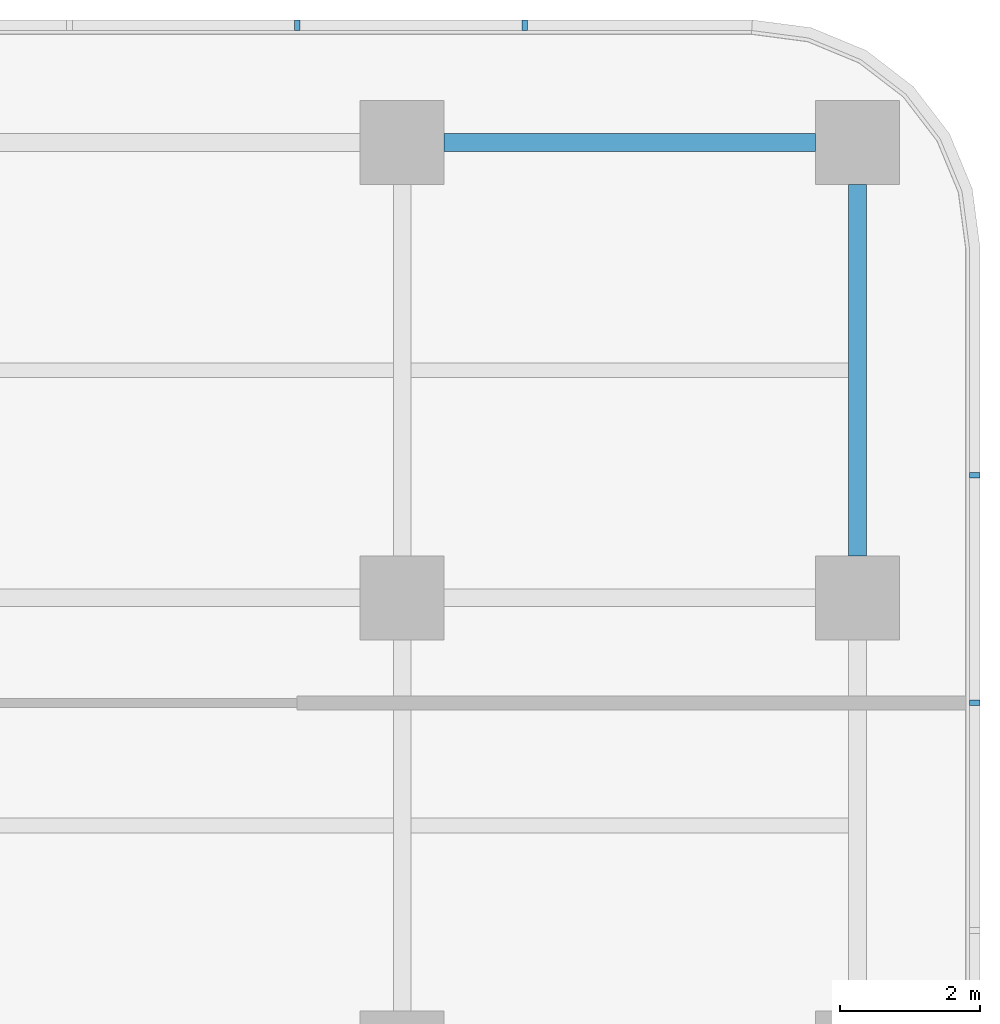
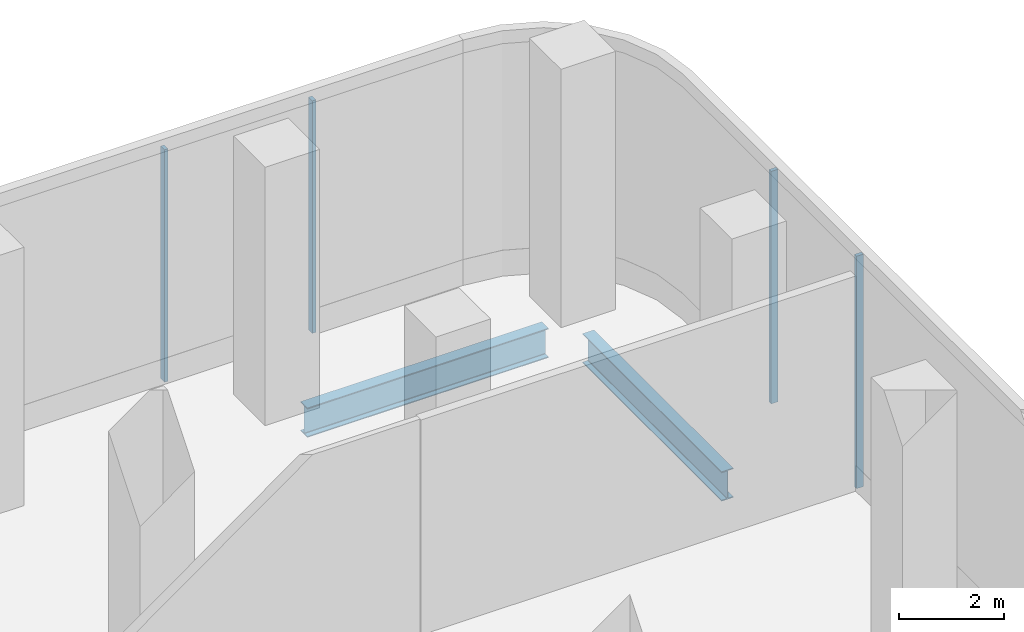
# One storey, part 30 of 41: 4 members, 2 beams, 2 elements without a shape of their own.
"""IFC4 building model written with IfcOpenShell, lengths in metres."""

from ifc_helpers import new_model, si_unit, direction, frame, origin, origin_2d, place, context, subcontext, project, spatial, rectangle, i_section, extrude, source, transform, mapped, material, layer, layer_set, material_profile, profile_set, type_object, element, aggregate, save


model = new_model("IFC4")

# Units and contexts
model_context = context("Model", 3, precision=1e-05, world=origin(), true_north=direction((0.0, 1.0)))
body_context = subcontext(model_context, "Body", "Model", "MODEL_VIEW")
ifc_project = project(units=[si_unit("LENGTHUNIT", "METRE"), si_unit("AREAUNIT", "SQUARE_METRE"), si_unit("VOLUMEUNIT", "CUBIC_METRE"), si_unit("PLANEANGLEUNIT", "RADIAN"), si_unit("MASSUNIT", "GRAM", prefix="KILO")], contexts=[model_context])

# Site, building, storey
site_placement = place(None, origin())
site = spatial("IfcSite", under=ifc_project, at=site_placement, CompositionType="ELEMENT")
building_placement = place(site_placement, origin())
building = spatial("IfcBuilding", under=site, at=building_placement, Name="Trellis Farm Tower", CompositionType="ELEMENT")
storey_placement = place(building_placement, frame((0.0, 0.0, 8.0)))
storey = spatial("IfcBuildingStorey", under=building, at=storey_placement, Name="L01", CompositionType="ELEMENT", Elevation=8.0)

# Beams
ifc_material_1 = material(Name="Steel S355", Category="steel")
ifc_material_profile_1 = material_profile(ifc_material_1, i_section(OverallWidth=0.253662109375, OverallDepth=0.68359375, WebThickness=0.012451171875, FlangeThickness=0.021728515625, FilletRadius=0.01513671875, at=origin_2d()), Name="UB 686x254x140")
ifc_profile_set_1 = profile_set([ifc_material_profile_1], Name="Steel S355")
beam_type = type_object("IfcBeamType", Name="UB 686x254x140", PredefinedType="BEAM", material=ifc_profile_set_1)
shared_shape_1 = source(origin(), body_context, "Body", "SweptSolid", [
    extrude(i_section(OverallWidth=0.253662109375, OverallDepth=0.68359375, WebThickness=0.012451171875, FlangeThickness=0.021728515625, FilletRadius=0.01513671875, at=origin_2d()), origin(), (0.0, 0.0, 1.0), 5.2998046875),
])
for number, where, z_axis, x_axis, name in (
    (1, (37.85009765625, 43.75, -0.641845703125), (1.0, 0.0, 0.0), (0.0, 1.0, 0.0), "Girder"),
    (2, (43.75, 37.85009765625, -0.641845703125), (0.0, 1.0, 0.0), (-1.0, 0.0, 0.0), "Girder"),
):
    element("IfcBeam", number, at=place(storey_placement, frame(where, z_axis=z_axis, x_axis=x_axis)), inside=storey, type_object=beam_type, Name=name, PredefinedType="BEAM", context=body_context, shape_type="MappedRepresentation", body=[
        mapped(shared_shape_1, transform((0.0, 0.0, 0.0))),
    ])

# Curtain wall, members
ifc_material_2 = material(Name="Aluminium and glass curtain wall", Category="aluminium")
ifc_layer = layer(ifc_material_2, 0.201904296875)
ifc_layer_set = layer_set([ifc_layer], Name="SHOPFRONT CURTAIN WALL CW2")
curtain_wall_type = type_object("IfcCurtainWallType", Name="SHOPFRONT CURTAIN WALL CW2", PredefinedType="NOTDEFINED", material=ifc_layer_set)
placement = place(storey_placement, origin())
curtain_wall_1 = element("IfcCurtainWall", 3, at=placement, inside=storey, type_object=curtain_wall_type, Name="CW2 002", PredefinedType="NOTDEFINED")
ifc_material_3 = material(Name="Aluminium extrusion 6063-T6", Category="aluminium")
ifc_material_profile_2 = material_profile(ifc_material_3, rectangle(XDim=0.080078125, YDim=0.14990234375, at=origin_2d()), Name="MULLION 80x150")
ifc_profile_set_2 = profile_set([ifc_material_profile_2], Name="Aluminium extrusion 6063-T6")
member_type = type_object("IfcMemberType", Name="CW2 MULLION 80x150", PredefinedType="MULLION", material=ifc_profile_set_2)
shared_shape_2 = source(origin(), body_context, "Body", "SweptSolid", [
    extrude(rectangle(XDim=0.080078125, YDim=0.14990234375, at=origin_2d()), origin(), (0.0, 0.0, 1.0), 5.39990234375),
])
member_1_placement = place(storey_placement, frame((45.425048828125, 35.75, 0.0), z_axis=(0.0, 0.0, 1.0), x_axis=(0.0, 1.0, 0.0)))
member_1 = element("IfcMember", 4, at=member_1_placement, type_object=member_type, Name="MU2 002-09", PredefinedType="MULLION", context=body_context, shape_type="MappedRepresentation", body=[
    mapped(shared_shape_2, transform((0.0, 0.0, 0.0))),
])
member_2_placement = place(storey_placement, frame((45.425048828125, 39.0, 0.0), z_axis=(0.0, 0.0, 1.0), x_axis=(0.0, 1.0, 0.0)))
member_2 = element("IfcMember", 5, at=member_2_placement, type_object=member_type, Name="MU2 002-10", PredefinedType="MULLION", context=body_context, shape_type="MappedRepresentation", body=[
    mapped(shared_shape_2, transform((0.0, 0.0, 0.0))),
])
aggregate(curtain_wall_1, [member_1, member_2])

curtain_wall_2 = element("IfcCurtainWall", 6, at=placement, inside=storey, type_object=curtain_wall_type, Name="CW2 003", PredefinedType="NOTDEFINED")
member_3_placement = place(storey_placement, frame((39.0, 45.425048828125, 0.0), z_axis=(0.0, 0.0, 1.0), x_axis=(-1.0, 0.0, 0.0)))
member_3 = element("IfcMember", 7, at=member_3_placement, type_object=member_type, Name="MU2 003-01", PredefinedType="MULLION", context=body_context, shape_type="MappedRepresentation", body=[
    mapped(shared_shape_2, transform((0.0, 0.0, 0.0))),
])
member_4_placement = place(storey_placement, frame((35.75, 45.425048828125, 0.0), z_axis=(0.0, 0.0, 1.0), x_axis=(-1.0, 0.0, 0.0)))
member_4 = element("IfcMember", 8, at=member_4_placement, type_object=member_type, Name="MU2 003-02", PredefinedType="MULLION", context=body_context, shape_type="MappedRepresentation", body=[
    mapped(shared_shape_2, transform((0.0, 0.0, 0.0))),
])
aggregate(curtain_wall_2, [member_3, member_4])

save(model, "model.ifc")
